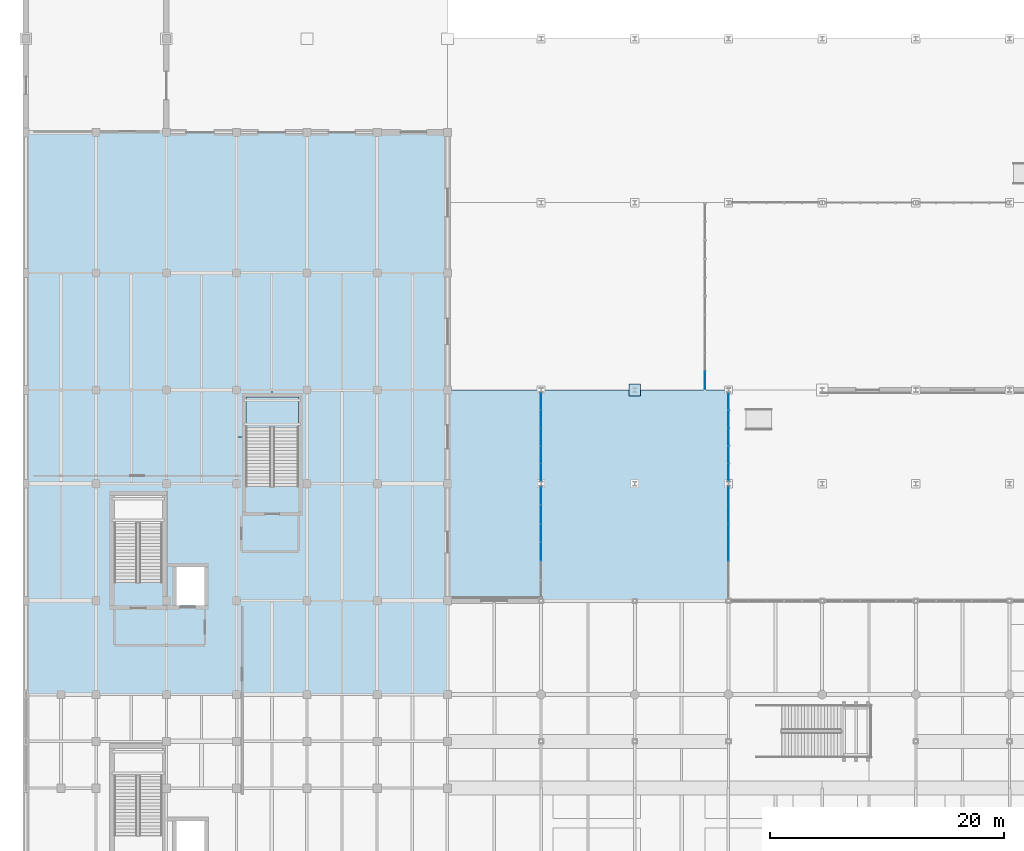
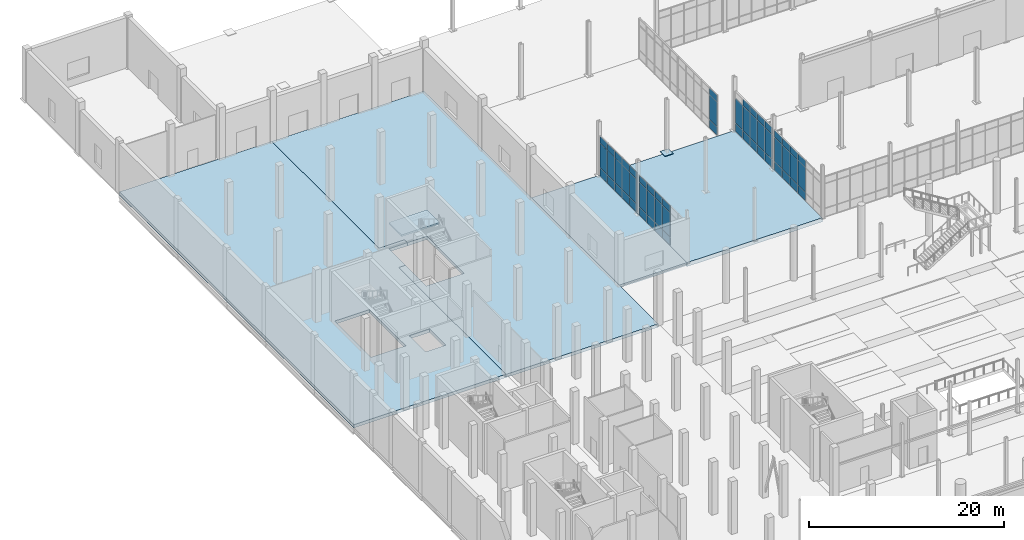
# One storey, part 103 of 140: 57 plates, 5 slabs, 6 elements without a shape of their own.
"""IFC4 building model written with IfcOpenShell, lengths in metres."""

from ifc_helpers import new_model, si_unit, direction, frame, origin, origin_2d, place, context, subcontext, project, spatial, polyline, rectangle, outline, extrude, material, layer, layer_set, type_object, element, aggregate, save


model = new_model("IFC4")

# Units and contexts
model_context = context("Model", 3, precision=1e-05, world=origin(), true_north=direction((0.0, 1.0)))
body_context = subcontext(model_context, "Body", "Model", "MODEL_VIEW")
ifc_project = project(units=[si_unit("LENGTHUNIT", "METRE"), si_unit("AREAUNIT", "SQUARE_METRE"), si_unit("VOLUMEUNIT", "CUBIC_METRE"), si_unit("PLANEANGLEUNIT", "RADIAN"), si_unit("MASSUNIT", "GRAM", prefix="KILO")], contexts=[model_context])

# Site, building, storey
site_placement = place(None, origin())
site = spatial("IfcSite", under=ifc_project, at=site_placement, CompositionType="ELEMENT")
building_placement = place(site_placement, origin())
building = spatial("IfcBuilding", under=site, at=building_placement, Name="Verrall Gate Interchange", CompositionType="ELEMENT")
storey_placement = place(building_placement, origin())
storey = spatial("IfcBuildingStorey", under=building, at=storey_placement, Name="L01", CompositionType="ELEMENT", Elevation=0.0)

# Plate
ifc_material_1 = material(Name="Structural Steel CSA G40.21 350WT Cat 4", Category="steel")
ifc_layer_1 = layer(ifc_material_1, 0.06005859375)
ifc_layer_set_1 = layer_set([ifc_layer_1], Name="Structural Steel CSA G40.21 350WT Cat 4")
plate_type_1 = type_object("IfcPlateType", Name="BP-03 Base Plate 60", PredefinedType="USERDEFINED", material=ifc_layer_set_1)
plate_1_placement = place(storey_placement, frame((52.0, 74.0, 0.0), z_axis=(0.0, 0.0, 1.0), x_axis=(1.0, 0.0, 0.0)))
element("IfcPlate", 1, at=plate_1_placement, inside=storey, type_object=plate_type_1, Name="Apron Pier Cap Plate 1634", ObjectType="BASE_PLATE", PredefinedType="USERDEFINED", context=body_context, shape_type="SweptSolid", body=[
    extrude(rectangle(XDim=1.0, YDim=1.0, at=origin_2d()), origin(), (0.0, 0.0, 1.0), 0.06005859375),
])

# Curtain wall, plates
ifc_material_2 = material(Name="Thermally Broken Anodized Aluminium Curtain Wall Framing", Category="aluminium")
curtain_wall_type_1 = type_object("IfcCurtainWallType", Name="CW-07 Unitized Curtain Wall 9606x5100", PredefinedType="NOTDEFINED", material=ifc_material_2)
curtain_wall_1_placement = place(storey_placement, origin())
curtain_wall_1 = element("IfcCurtainWall", 2, at=curtain_wall_1_placement, inside=storey, type_object=curtain_wall_type_1, Name="L01 Unitized Curtain Wall CW-L01-021", PredefinedType="NOTDEFINED")
ifc_material_3 = material(Name="Triple-Glazed Low-E Argon Insulated Curtain Panel (U=1.45)", Category="glass")
ifc_layer_2 = layer(ifc_material_3, 0.030029296875)
ifc_layer_set_2 = layer_set([ifc_layer_2], Name="Triple-Glazed Low-E Argon Insulated Curtain Panel (U=1.45)")
plate_type_2 = type_object("IfcPlateType", Name="CP-01 Curtain Glazing Panel 30", PredefinedType="CURTAIN_PANEL", material=ifc_layer_set_2)
plate_2_placement = place(storey_placement, frame((44.0, 60.186767578125, 0.06298828125), z_axis=(0.0, 0.0, 1.0), x_axis=(0.0, 1.0, 0.0)))
plate_2 = element("IfcPlate", 3, at=plate_2_placement, type_object=plate_type_2, Name="CW-L01-021 Glazing Panel 3.1", PredefinedType="CURTAIN_PANEL", context=body_context, shape_type="SweptSolid", body=[
    extrude(rectangle(XDim=1.5498046875, YDim=0.030029296875, at=origin_2d()), origin(), (0.0, 0.0, 1.0), 1.011474609375),
])
plate_3_placement = place(storey_placement, frame((44.0, 60.186767578125, 1.12548828125), z_axis=(0.0, 0.0, 1.0), x_axis=(0.0, 1.0, 0.0)))
plate_3 = element("IfcPlate", 4, at=plate_3_placement, type_object=plate_type_2, Name="CW-L01-021 Glazing Panel 3.2", PredefinedType="CURTAIN_PANEL", context=body_context, shape_type="SweptSolid", body=[
    extrude(rectangle(XDim=1.5498046875, YDim=0.030029296875, at=origin_2d()), origin(), (0.0, 0.0, 1.0), 3.049072265625),
])
plate_4_placement = place(storey_placement, frame((44.0, 60.186767578125, 4.225341796875), z_axis=(0.0, 0.0, 1.0), x_axis=(0.0, 1.0, 0.0)))
plate_4 = element("IfcPlate", 5, at=plate_4_placement, type_object=plate_type_2, Name="CW-L01-021 Glazing Panel 3.3", PredefinedType="CURTAIN_PANEL", context=body_context, shape_type="SweptSolid", body=[
    extrude(rectangle(XDim=1.5498046875, YDim=0.030029296875, at=origin_2d()), origin(), (0.0, 0.0, 1.0), 0.8115234375),
])
plate_5_placement = place(storey_placement, frame((44.0, 61.78759765625, 0.06298828125), z_axis=(0.0, 0.0, 1.0), x_axis=(0.0, 1.0, 0.0)))
plate_5 = element("IfcPlate", 6, at=plate_5_placement, type_object=plate_type_2, Name="CW-L01-021 Glazing Panel 4.1", PredefinedType="CURTAIN_PANEL", context=body_context, shape_type="SweptSolid", body=[
    extrude(rectangle(XDim=1.550048828125, YDim=0.030029296875, at=origin_2d()), origin(), (0.0, 0.0, 1.0), 1.011474609375),
])
plate_6_placement = place(storey_placement, frame((44.0, 61.78759765625, 1.12548828125), z_axis=(0.0, 0.0, 1.0), x_axis=(0.0, 1.0, 0.0)))
plate_6 = element("IfcPlate", 7, at=plate_6_placement, type_object=plate_type_2, Name="CW-L01-021 Glazing Panel 4.2", PredefinedType="CURTAIN_PANEL", context=body_context, shape_type="SweptSolid", body=[
    extrude(rectangle(XDim=1.550048828125, YDim=0.030029296875, at=origin_2d()), origin(), (0.0, 0.0, 1.0), 3.049072265625),
])
plate_7_placement = place(storey_placement, frame((44.0, 61.78759765625, 4.225341796875), z_axis=(0.0, 0.0, 1.0), x_axis=(0.0, 1.0, 0.0)))
plate_7 = element("IfcPlate", 8, at=plate_7_placement, type_object=plate_type_2, Name="CW-L01-021 Glazing Panel 4.3", PredefinedType="CURTAIN_PANEL", context=body_context, shape_type="SweptSolid", body=[
    extrude(rectangle(XDim=1.550048828125, YDim=0.030029296875, at=origin_2d()), origin(), (0.0, 0.0, 1.0), 0.8115234375),
])
plate_8_placement = place(storey_placement, frame((44.0, 63.388671875, 0.06298828125), z_axis=(0.0, 0.0, 1.0), x_axis=(0.0, 1.0, 0.0)))
plate_8 = element("IfcPlate", 9, at=plate_8_placement, type_object=plate_type_2, Name="CW-L01-021 Glazing Panel 5.1", PredefinedType="CURTAIN_PANEL", context=body_context, shape_type="SweptSolid", body=[
    extrude(rectangle(XDim=1.5498046875, YDim=0.030029296875, at=origin_2d()), origin(), (0.0, 0.0, 1.0), 1.011474609375),
])
plate_9_placement = place(storey_placement, frame((44.0, 63.388671875, 1.12548828125), z_axis=(0.0, 0.0, 1.0), x_axis=(0.0, 1.0, 0.0)))
plate_9 = element("IfcPlate", 10, at=plate_9_placement, type_object=plate_type_2, Name="CW-L01-021 Glazing Panel 5.2", PredefinedType="CURTAIN_PANEL", context=body_context, shape_type="SweptSolid", body=[
    extrude(rectangle(XDim=1.5498046875, YDim=0.030029296875, at=origin_2d()), origin(), (0.0, 0.0, 1.0), 3.049072265625),
])
plate_10_placement = place(storey_placement, frame((44.0, 63.388671875, 4.225341796875), z_axis=(0.0, 0.0, 1.0), x_axis=(0.0, 1.0, 0.0)))
plate_10 = element("IfcPlate", 11, at=plate_10_placement, type_object=plate_type_2, Name="CW-L01-021 Glazing Panel 5.3", PredefinedType="CURTAIN_PANEL", context=body_context, shape_type="SweptSolid", body=[
    extrude(rectangle(XDim=1.5498046875, YDim=0.030029296875, at=origin_2d()), origin(), (0.0, 0.0, 1.0), 0.8115234375),
])
plate_11_placement = place(storey_placement, frame((44.0, 64.970703125, 0.06298828125), z_axis=(0.0, 0.0, 1.0), x_axis=(0.0, 1.0, 0.0)))
plate_11 = element("IfcPlate", 12, at=plate_11_placement, type_object=plate_type_2, Name="CW-L01-021 Glazing Panel 6.1", PredefinedType="CURTAIN_PANEL", context=body_context, shape_type="SweptSolid", body=[
    extrude(rectangle(XDim=1.512451171875, YDim=0.030029296875, at=origin_2d()), origin(), (0.0, 0.0, 1.0), 1.011474609375),
])
plate_12_placement = place(storey_placement, frame((44.0, 64.970703125, 1.12548828125), z_axis=(0.0, 0.0, 1.0), x_axis=(0.0, 1.0, 0.0)))
plate_12 = element("IfcPlate", 13, at=plate_12_placement, type_object=plate_type_2, Name="CW-L01-021 Glazing Panel 6.2", PredefinedType="CURTAIN_PANEL", context=body_context, shape_type="SweptSolid", body=[
    extrude(rectangle(XDim=1.512451171875, YDim=0.030029296875, at=origin_2d()), origin(), (0.0, 0.0, 1.0), 3.049072265625),
])
plate_13_placement = place(storey_placement, frame((44.0, 64.970703125, 4.225341796875), z_axis=(0.0, 0.0, 1.0), x_axis=(0.0, 1.0, 0.0)))
plate_13 = element("IfcPlate", 14, at=plate_13_placement, type_object=plate_type_2, Name="CW-L01-021 Glazing Panel 6.3", PredefinedType="CURTAIN_PANEL", context=body_context, shape_type="SweptSolid", body=[
    extrude(rectangle(XDim=1.512451171875, YDim=0.030029296875, at=origin_2d()), origin(), (0.0, 0.0, 1.0), 0.8115234375),
])
aggregate(curtain_wall_1, [plate_2, plate_3, plate_4, plate_5, plate_6, plate_7, plate_8, plate_9, plate_10, plate_11, plate_12, plate_13])

curtain_wall_2_placement = place(storey_placement, origin())
curtain_wall_2 = element("IfcCurtainWall", 15, at=curtain_wall_2_placement, inside=storey, type_object=curtain_wall_type_1, Name="L01 Unitized Curtain Wall CW-L01-024", PredefinedType="NOTDEFINED")
plate_14_placement = place(storey_placement, frame((60.0, 64.973388671875, 0.0546875), z_axis=(0.0, 0.0, 1.0), x_axis=(0.0, -1.0, 0.0)))
plate_14 = element("IfcPlate", 16, at=plate_14_placement, type_object=plate_type_2, Name="CW-L01-024 Glazing Panel 1.1", PredefinedType="CURTAIN_PANEL", context=body_context, shape_type="SweptSolid", body=[
    extrude(rectangle(XDim=1.524169921875, YDim=0.030029296875, at=origin_2d()), origin(), (0.0, 0.0, 1.0), 1.023193359375),
])
plate_15_placement = place(storey_placement, frame((60.0, 64.973388671875, 1.1220703125), z_axis=(0.0, 0.0, 1.0), x_axis=(0.0, -1.0, 0.0)))
plate_15 = element("IfcPlate", 17, at=plate_15_placement, type_object=plate_type_2, Name="CW-L01-024 Glazing Panel 1.2", PredefinedType="CURTAIN_PANEL", context=body_context, shape_type="SweptSolid", body=[
    extrude(rectangle(XDim=1.524169921875, YDim=0.030029296875, at=origin_2d()), origin(), (0.0, 0.0, 1.0), 3.055908203125),
])
plate_16_placement = place(storey_placement, frame((60.0, 64.973388671875, 4.22216796875), z_axis=(0.0, 0.0, 1.0), x_axis=(0.0, -1.0, 0.0)))
plate_16 = element("IfcPlate", 18, at=plate_16_placement, type_object=plate_type_2, Name="CW-L01-024 Glazing Panel 1.3", PredefinedType="CURTAIN_PANEL", context=body_context, shape_type="SweptSolid", body=[
    extrude(rectangle(XDim=1.524169921875, YDim=0.030029296875, at=origin_2d()), origin(), (0.0, 0.0, 1.0), 0.8232421875),
])
plate_17_placement = place(storey_placement, frame((60.0, 63.388671875, 0.0546875), z_axis=(0.0, 0.0, 1.0), x_axis=(0.0, -1.0, 0.0)))
plate_17 = element("IfcPlate", 19, at=plate_17_placement, type_object=plate_type_2, Name="CW-L01-024 Glazing Panel 2.1", PredefinedType="CURTAIN_PANEL", context=body_context, shape_type="SweptSolid", body=[
    extrude(rectangle(XDim=1.556640625, YDim=0.030029296875, at=origin_2d()), origin(), (0.0, 0.0, 1.0), 1.023193359375),
])
plate_18_placement = place(storey_placement, frame((60.0, 63.388671875, 1.1220703125), z_axis=(0.0, 0.0, 1.0), x_axis=(0.0, -1.0, 0.0)))
plate_18 = element("IfcPlate", 20, at=plate_18_placement, type_object=plate_type_2, Name="CW-L01-024 Glazing Panel 2.2", PredefinedType="CURTAIN_PANEL", context=body_context, shape_type="SweptSolid", body=[
    extrude(rectangle(XDim=1.556640625, YDim=0.030029296875, at=origin_2d()), origin(), (0.0, 0.0, 1.0), 3.055908203125),
])
plate_19_placement = place(storey_placement, frame((60.0, 63.388671875, 4.22216796875), z_axis=(0.0, 0.0, 1.0), x_axis=(0.0, -1.0, 0.0)))
plate_19 = element("IfcPlate", 21, at=plate_19_placement, type_object=plate_type_2, Name="CW-L01-024 Glazing Panel 2.3", PredefinedType="CURTAIN_PANEL", context=body_context, shape_type="SweptSolid", body=[
    extrude(rectangle(XDim=1.556640625, YDim=0.030029296875, at=origin_2d()), origin(), (0.0, 0.0, 1.0), 0.8232421875),
])
plate_20_placement = place(storey_placement, frame((60.0, 61.787841796875, 0.0546875), z_axis=(0.0, 0.0, 1.0), x_axis=(0.0, -1.0, 0.0)))
plate_20 = element("IfcPlate", 22, at=plate_20_placement, type_object=plate_type_2, Name="CW-L01-024 Glazing Panel 3.1", PredefinedType="CURTAIN_PANEL", context=body_context, shape_type="SweptSolid", body=[
    extrude(rectangle(XDim=1.556640625, YDim=0.030029296875, at=origin_2d()), origin(), (0.0, 0.0, 1.0), 1.023193359375),
])
plate_21_placement = place(storey_placement, frame((60.0, 61.787841796875, 1.1220703125), z_axis=(0.0, 0.0, 1.0), x_axis=(0.0, -1.0, 0.0)))
plate_21 = element("IfcPlate", 23, at=plate_21_placement, type_object=plate_type_2, Name="CW-L01-024 Glazing Panel 3.2", PredefinedType="CURTAIN_PANEL", context=body_context, shape_type="SweptSolid", body=[
    extrude(rectangle(XDim=1.556640625, YDim=0.030029296875, at=origin_2d()), origin(), (0.0, 0.0, 1.0), 3.055908203125),
])
plate_22_placement = place(storey_placement, frame((60.0, 61.787841796875, 4.22216796875), z_axis=(0.0, 0.0, 1.0), x_axis=(0.0, -1.0, 0.0)))
plate_22 = element("IfcPlate", 24, at=plate_22_placement, type_object=plate_type_2, Name="CW-L01-024 Glazing Panel 3.3", PredefinedType="CURTAIN_PANEL", context=body_context, shape_type="SweptSolid", body=[
    extrude(rectangle(XDim=1.556640625, YDim=0.030029296875, at=origin_2d()), origin(), (0.0, 0.0, 1.0), 0.8232421875),
])
plate_23_placement = place(storey_placement, frame((60.0, 60.186767578125, 0.0546875), z_axis=(0.0, 0.0, 1.0), x_axis=(0.0, -1.0, 0.0)))
plate_23 = element("IfcPlate", 25, at=plate_23_placement, type_object=plate_type_2, Name="CW-L01-024 Glazing Panel 4.1", PredefinedType="CURTAIN_PANEL", context=body_context, shape_type="SweptSolid", body=[
    extrude(rectangle(XDim=1.556884765625, YDim=0.030029296875, at=origin_2d()), origin(), (0.0, 0.0, 1.0), 1.023193359375),
])
plate_24_placement = place(storey_placement, frame((60.0, 60.186767578125, 1.1220703125), z_axis=(0.0, 0.0, 1.0), x_axis=(0.0, -1.0, 0.0)))
plate_24 = element("IfcPlate", 26, at=plate_24_placement, type_object=plate_type_2, Name="CW-L01-024 Glazing Panel 4.2", PredefinedType="CURTAIN_PANEL", context=body_context, shape_type="SweptSolid", body=[
    extrude(rectangle(XDim=1.556884765625, YDim=0.030029296875, at=origin_2d()), origin(), (0.0, 0.0, 1.0), 3.055908203125),
])
plate_25_placement = place(storey_placement, frame((60.0, 60.186767578125, 4.22216796875), z_axis=(0.0, 0.0, 1.0), x_axis=(0.0, -1.0, 0.0)))
plate_25 = element("IfcPlate", 27, at=plate_25_placement, type_object=plate_type_2, Name="CW-L01-024 Glazing Panel 4.3", PredefinedType="CURTAIN_PANEL", context=body_context, shape_type="SweptSolid", body=[
    extrude(rectangle(XDim=1.556884765625, YDim=0.030029296875, at=origin_2d()), origin(), (0.0, 0.0, 1.0), 0.8232421875),
])
aggregate(curtain_wall_2, [plate_14, plate_15, plate_16, plate_17, plate_18, plate_19, plate_20, plate_21, plate_22, plate_23, plate_24, plate_25])

ifc_material_4 = material(Name="Thermally Broken Anodized Aluminium Curtain Wall Framing", Category="aluminium")
curtain_wall_type_2 = type_object("IfcCurtainWallType", Name="CW-09 Unitized Curtain Wall 7960x5100", PredefinedType="NOTDEFINED", material=ifc_material_4)
curtain_wall_3_placement = place(storey_placement, origin())
curtain_wall_3 = element("IfcCurtainWall", 28, at=curtain_wall_3_placement, inside=storey, type_object=curtain_wall_type_2, Name="L01 Unitized Curtain Wall CW-L01-036", PredefinedType="NOTDEFINED")
plate_26_placement = place(storey_placement, frame((58.0, 74.832275390625, 0.0546875), z_axis=(0.0, 0.0, 1.0), x_axis=(0.0, -1.0, 0.0)))
plate_26 = element("IfcPlate", 29, at=plate_26_placement, type_object=plate_type_2, Name="CW-L01-036 Glazing Panel 5.1", PredefinedType="CURTAIN_PANEL", context=body_context, shape_type="SweptSolid", body=[
    extrude(rectangle(XDim=1.515380859375, YDim=0.030029296875, at=origin_2d()), origin(), (0.0, 0.0, 1.0), 1.023193359375),
])
plate_27_placement = place(storey_placement, frame((58.0, 74.832275390625, 1.1220703125), z_axis=(0.0, 0.0, 1.0), x_axis=(0.0, -1.0, 0.0)))
plate_27 = element("IfcPlate", 30, at=plate_27_placement, type_object=plate_type_2, Name="CW-L01-036 Glazing Panel 5.2", PredefinedType="CURTAIN_PANEL", context=body_context, shape_type="SweptSolid", body=[
    extrude(rectangle(XDim=1.515380859375, YDim=0.030029296875, at=origin_2d()), origin(), (0.0, 0.0, 1.0), 3.055908203125),
])
plate_28_placement = place(storey_placement, frame((58.0, 74.832275390625, 4.22216796875), z_axis=(0.0, 0.0, 1.0), x_axis=(0.0, -1.0, 0.0)))
plate_28 = element("IfcPlate", 31, at=plate_28_placement, type_object=plate_type_2, Name="CW-L01-036 Glazing Panel 5.3", PredefinedType="CURTAIN_PANEL", context=body_context, shape_type="SweptSolid", body=[
    extrude(rectangle(XDim=1.515380859375, YDim=0.030029296875, at=origin_2d()), origin(), (0.0, 0.0, 1.0), 0.8232421875),
])
aggregate(curtain_wall_3, [plate_26, plate_27, plate_28])

ifc_material_5 = material(Name="Thermally Broken Anodized Aluminium Curtain Wall Framing", Category="aluminium")
curtain_wall_type_3 = type_object("IfcCurtainWallType", Name="CW-06 Unitized Curtain Wall 7631x5100", PredefinedType="NOTDEFINED", material=ifc_material_5)
curtain_wall_4_placement = place(storey_placement, origin())
curtain_wall_4 = element("IfcCurtainWall", 32, at=curtain_wall_4_placement, inside=storey, type_object=curtain_wall_type_3, Name="L01 Unitized Curtain Wall CW-L01-022", PredefinedType="NOTDEFINED")
ifc_material_6 = material(Name="Triple-Glazed Low-E Argon Insulated Curtain Panel (U=1.45)", Category="glass")
ifc_layer_3 = layer(ifc_material_6, 0.0400390625)
ifc_layer_set_3 = layer_set([ifc_layer_3], Name="Triple-Glazed Low-E Argon Insulated Curtain Panel (U=1.45)")
plate_type_3 = type_object("IfcPlateType", Name="CP-02 Curtain Glazing Panel 40", PredefinedType="CURTAIN_PANEL", material=ifc_layer_set_3)
plate_29_placement = place(storey_placement, frame((44.0, 66.984130859375, 0.0546875), z_axis=(0.0, 0.0, 1.0), x_axis=(0.0, 1.0, 0.0)))
plate_29 = element("IfcPlate", 33, at=plate_29_placement, type_object=plate_type_3, Name="CW-L01-022 Glazing Panel 1.1", PredefinedType="CURTAIN_PANEL", context=body_context, shape_type="SweptSolid", body=[
    extrude(rectangle(XDim=1.439208984375, YDim=0.0400390625, at=origin_2d()), origin(), (0.0, 0.0, 1.0), 1.023193359375),
])
plate_30_placement = place(storey_placement, frame((44.0, 66.984130859375, 1.1220703125), z_axis=(0.0, 0.0, 1.0), x_axis=(0.0, 1.0, 0.0)))
plate_30 = element("IfcPlate", 34, at=plate_30_placement, type_object=plate_type_3, Name="CW-L01-022 Glazing Panel 1.2", PredefinedType="CURTAIN_PANEL", context=body_context, shape_type="SweptSolid", body=[
    extrude(rectangle(XDim=1.439208984375, YDim=0.0400390625, at=origin_2d()), origin(), (0.0, 0.0, 1.0), 3.055908203125),
])
plate_31_placement = place(storey_placement, frame((44.0, 66.984130859375, 4.22216796875), z_axis=(0.0, 0.0, 1.0), x_axis=(0.0, 1.0, 0.0)))
plate_31 = element("IfcPlate", 35, at=plate_31_placement, type_object=plate_type_3, Name="CW-L01-022 Glazing Panel 1.3", PredefinedType="CURTAIN_PANEL", context=body_context, shape_type="SweptSolid", body=[
    extrude(rectangle(XDim=1.439208984375, YDim=0.0400390625, at=origin_2d()), origin(), (0.0, 0.0, 1.0), 0.8232421875),
])
plate_32_placement = place(storey_placement, frame((44.0, 68.48388671875, 0.0546875), z_axis=(0.0, 0.0, 1.0), x_axis=(0.0, 1.0, 0.0)))
plate_32 = element("IfcPlate", 36, at=plate_32_placement, type_object=plate_type_3, Name="CW-L01-022 Glazing Panel 2.1", PredefinedType="CURTAIN_PANEL", context=body_context, shape_type="SweptSolid", body=[
    extrude(rectangle(XDim=1.4716796875, YDim=0.0400390625, at=origin_2d()), origin(), (0.0, 0.0, 1.0), 1.023193359375),
])
plate_33_placement = place(storey_placement, frame((44.0, 68.48388671875, 1.1220703125), z_axis=(0.0, 0.0, 1.0), x_axis=(0.0, 1.0, 0.0)))
plate_33 = element("IfcPlate", 37, at=plate_33_placement, type_object=plate_type_3, Name="CW-L01-022 Glazing Panel 2.2", PredefinedType="CURTAIN_PANEL", context=body_context, shape_type="SweptSolid", body=[
    extrude(rectangle(XDim=1.4716796875, YDim=0.0400390625, at=origin_2d()), origin(), (0.0, 0.0, 1.0), 3.055908203125),
])
plate_34_placement = place(storey_placement, frame((44.0, 68.48388671875, 4.22216796875), z_axis=(0.0, 0.0, 1.0), x_axis=(0.0, 1.0, 0.0)))
plate_34 = element("IfcPlate", 38, at=plate_34_placement, type_object=plate_type_3, Name="CW-L01-022 Glazing Panel 2.3", PredefinedType="CURTAIN_PANEL", context=body_context, shape_type="SweptSolid", body=[
    extrude(rectangle(XDim=1.4716796875, YDim=0.0400390625, at=origin_2d()), origin(), (0.0, 0.0, 1.0), 0.8232421875),
])
plate_35_placement = place(storey_placement, frame((44.0, 70.0, 0.0546875), z_axis=(0.0, 0.0, 1.0), x_axis=(0.0, 1.0, 0.0)))
plate_35 = element("IfcPlate", 39, at=plate_35_placement, type_object=plate_type_3, Name="CW-L01-022 Glazing Panel 3.1", PredefinedType="CURTAIN_PANEL", context=body_context, shape_type="SweptSolid", body=[
    extrude(rectangle(XDim=1.4716796875, YDim=0.0400390625, at=origin_2d()), origin(), (0.0, 0.0, 1.0), 1.023193359375),
])
plate_36_placement = place(storey_placement, frame((44.0, 70.0, 1.1220703125), z_axis=(0.0, 0.0, 1.0), x_axis=(0.0, 1.0, 0.0)))
plate_36 = element("IfcPlate", 40, at=plate_36_placement, type_object=plate_type_3, Name="CW-L01-022 Glazing Panel 3.2", PredefinedType="CURTAIN_PANEL", context=body_context, shape_type="SweptSolid", body=[
    extrude(rectangle(XDim=1.4716796875, YDim=0.0400390625, at=origin_2d()), origin(), (0.0, 0.0, 1.0), 3.055908203125),
])
plate_37_placement = place(storey_placement, frame((44.0, 70.0, 4.22216796875), z_axis=(0.0, 0.0, 1.0), x_axis=(0.0, 1.0, 0.0)))
plate_37 = element("IfcPlate", 41, at=plate_37_placement, type_object=plate_type_3, Name="CW-L01-022 Glazing Panel 3.3", PredefinedType="CURTAIN_PANEL", context=body_context, shape_type="SweptSolid", body=[
    extrude(rectangle(XDim=1.4716796875, YDim=0.0400390625, at=origin_2d()), origin(), (0.0, 0.0, 1.0), 0.8232421875),
])
plate_38_placement = place(storey_placement, frame((44.0, 71.51611328125, 0.0546875), z_axis=(0.0, 0.0, 1.0), x_axis=(0.0, 1.0, 0.0)))
plate_38 = element("IfcPlate", 42, at=plate_38_placement, type_object=plate_type_3, Name="CW-L01-022 Glazing Panel 4.1", PredefinedType="CURTAIN_PANEL", context=body_context, shape_type="SweptSolid", body=[
    extrude(rectangle(XDim=1.4716796875, YDim=0.0400390625, at=origin_2d()), origin(), (0.0, 0.0, 1.0), 1.023193359375),
])
plate_39_placement = place(storey_placement, frame((44.0, 71.51611328125, 1.1220703125), z_axis=(0.0, 0.0, 1.0), x_axis=(0.0, 1.0, 0.0)))
plate_39 = element("IfcPlate", 43, at=plate_39_placement, type_object=plate_type_3, Name="CW-L01-022 Glazing Panel 4.2", PredefinedType="CURTAIN_PANEL", context=body_context, shape_type="SweptSolid", body=[
    extrude(rectangle(XDim=1.4716796875, YDim=0.0400390625, at=origin_2d()), origin(), (0.0, 0.0, 1.0), 3.055908203125),
])
plate_40_placement = place(storey_placement, frame((44.0, 71.51611328125, 4.22216796875), z_axis=(0.0, 0.0, 1.0), x_axis=(0.0, 1.0, 0.0)))
plate_40 = element("IfcPlate", 44, at=plate_40_placement, type_object=plate_type_3, Name="CW-L01-022 Glazing Panel 4.3", PredefinedType="CURTAIN_PANEL", context=body_context, shape_type="SweptSolid", body=[
    extrude(rectangle(XDim=1.4716796875, YDim=0.0400390625, at=origin_2d()), origin(), (0.0, 0.0, 1.0), 0.8232421875),
])
plate_41_placement = place(storey_placement, frame((44.0, 73.015625, 0.0546875), z_axis=(0.0, 0.0, 1.0), x_axis=(0.0, 1.0, 0.0)))
plate_41 = element("IfcPlate", 45, at=plate_41_placement, type_object=plate_type_3, Name="CW-L01-022 Glazing Panel 5.1", PredefinedType="CURTAIN_PANEL", context=body_context, shape_type="SweptSolid", body=[
    extrude(rectangle(XDim=1.439208984375, YDim=0.0400390625, at=origin_2d()), origin(), (0.0, 0.0, 1.0), 1.023193359375),
])
plate_42_placement = place(storey_placement, frame((44.0, 73.015625, 1.1220703125), z_axis=(0.0, 0.0, 1.0), x_axis=(0.0, 1.0, 0.0)))
plate_42 = element("IfcPlate", 46, at=plate_42_placement, type_object=plate_type_3, Name="CW-L01-022 Glazing Panel 5.2", PredefinedType="CURTAIN_PANEL", context=body_context, shape_type="SweptSolid", body=[
    extrude(rectangle(XDim=1.439208984375, YDim=0.0400390625, at=origin_2d()), origin(), (0.0, 0.0, 1.0), 3.055908203125),
])
plate_43_placement = place(storey_placement, frame((44.0, 73.015625, 4.22216796875), z_axis=(0.0, 0.0, 1.0), x_axis=(0.0, 1.0, 0.0)))
plate_43 = element("IfcPlate", 47, at=plate_43_placement, type_object=plate_type_3, Name="CW-L01-022 Glazing Panel 5.3", PredefinedType="CURTAIN_PANEL", context=body_context, shape_type="SweptSolid", body=[
    extrude(rectangle(XDim=1.439208984375, YDim=0.0400390625, at=origin_2d()), origin(), (0.0, 0.0, 1.0), 0.8232421875),
])
aggregate(curtain_wall_4, [plate_29, plate_30, plate_31, plate_32, plate_33, plate_34, plate_35, plate_36, plate_37, plate_38, plate_39, plate_40, plate_41, plate_42, plate_43])

curtain_wall_5_placement = place(storey_placement, origin())
curtain_wall_5 = element("IfcCurtainWall", 48, at=curtain_wall_5_placement, inside=storey, type_object=curtain_wall_type_3, Name="L01 Unitized Curtain Wall CW-L01-023", PredefinedType="NOTDEFINED")
plate_44_placement = place(storey_placement, frame((60.0, 73.01318359375, 0.06298828125), z_axis=(0.0, 0.0, 1.0), x_axis=(0.0, -1.0, 0.0)))
plate_44 = element("IfcPlate", 49, at=plate_44_placement, type_object=plate_type_3, Name="CW-L01-023 Glazing Panel 1.1", PredefinedType="CURTAIN_PANEL", context=body_context, shape_type="SweptSolid", body=[
    extrude(rectangle(XDim=1.427490234375, YDim=0.0400390625, at=origin_2d()), origin(), (0.0, 0.0, 1.0), 1.011474609375),
])
plate_45_placement = place(storey_placement, frame((60.0, 73.01318359375, 1.12548828125), z_axis=(0.0, 0.0, 1.0), x_axis=(0.0, -1.0, 0.0)))
plate_45 = element("IfcPlate", 50, at=plate_45_placement, type_object=plate_type_3, Name="CW-L01-023 Glazing Panel 1.2", PredefinedType="CURTAIN_PANEL", context=body_context, shape_type="SweptSolid", body=[
    extrude(rectangle(XDim=1.427490234375, YDim=0.0400390625, at=origin_2d()), origin(), (0.0, 0.0, 1.0), 3.049072265625),
])
plate_46_placement = place(storey_placement, frame((60.0, 71.51611328125, 0.06298828125), z_axis=(0.0, 0.0, 1.0), x_axis=(0.0, -1.0, 0.0)))
plate_46 = element("IfcPlate", 51, at=plate_46_placement, type_object=plate_type_3, Name="CW-L01-023 Glazing Panel 2.1", PredefinedType="CURTAIN_PANEL", context=body_context, shape_type="SweptSolid", body=[
    extrude(rectangle(XDim=1.465087890625, YDim=0.0400390625, at=origin_2d()), origin(), (0.0, 0.0, 1.0), 1.011474609375),
])
plate_47_placement = place(storey_placement, frame((60.0, 71.51611328125, 1.12548828125), z_axis=(0.0, 0.0, 1.0), x_axis=(0.0, -1.0, 0.0)))
plate_47 = element("IfcPlate", 52, at=plate_47_placement, type_object=plate_type_3, Name="CW-L01-023 Glazing Panel 2.2", PredefinedType="CURTAIN_PANEL", context=body_context, shape_type="SweptSolid", body=[
    extrude(rectangle(XDim=1.465087890625, YDim=0.0400390625, at=origin_2d()), origin(), (0.0, 0.0, 1.0), 3.049072265625),
])
plate_48_placement = place(storey_placement, frame((60.0, 71.51611328125, 4.225341796875), z_axis=(0.0, 0.0, 1.0), x_axis=(0.0, -1.0, 0.0)))
plate_48 = element("IfcPlate", 53, at=plate_48_placement, type_object=plate_type_3, Name="CW-L01-023 Glazing Panel 2.3", PredefinedType="CURTAIN_PANEL", context=body_context, shape_type="SweptSolid", body=[
    extrude(rectangle(XDim=1.465087890625, YDim=0.0400390625, at=origin_2d()), origin(), (0.0, 0.0, 1.0), 0.8115234375),
])
plate_49_placement = place(storey_placement, frame((60.0, 70.0, 0.06298828125), z_axis=(0.0, 0.0, 1.0), x_axis=(0.0, -1.0, 0.0)))
plate_49 = element("IfcPlate", 54, at=plate_49_placement, type_object=plate_type_3, Name="CW-L01-023 Glazing Panel 3.1", PredefinedType="CURTAIN_PANEL", context=body_context, shape_type="SweptSolid", body=[
    extrude(rectangle(XDim=1.465087890625, YDim=0.0400390625, at=origin_2d()), origin(), (0.0, 0.0, 1.0), 1.011474609375),
])
plate_50_placement = place(storey_placement, frame((60.0, 70.0, 1.12548828125), z_axis=(0.0, 0.0, 1.0), x_axis=(0.0, -1.0, 0.0)))
plate_50 = element("IfcPlate", 55, at=plate_50_placement, type_object=plate_type_3, Name="CW-L01-023 Glazing Panel 3.2", PredefinedType="CURTAIN_PANEL", context=body_context, shape_type="SweptSolid", body=[
    extrude(rectangle(XDim=1.465087890625, YDim=0.0400390625, at=origin_2d()), origin(), (0.0, 0.0, 1.0), 3.049072265625),
])
plate_51_placement = place(storey_placement, frame((60.0, 70.0, 4.225341796875), z_axis=(0.0, 0.0, 1.0), x_axis=(0.0, -1.0, 0.0)))
plate_51 = element("IfcPlate", 56, at=plate_51_placement, type_object=plate_type_3, Name="CW-L01-023 Glazing Panel 3.3", PredefinedType="CURTAIN_PANEL", context=body_context, shape_type="SweptSolid", body=[
    extrude(rectangle(XDim=1.465087890625, YDim=0.0400390625, at=origin_2d()), origin(), (0.0, 0.0, 1.0), 0.8115234375),
])
plate_52_placement = place(storey_placement, frame((60.0, 68.48388671875, 0.06298828125), z_axis=(0.0, 0.0, 1.0), x_axis=(0.0, -1.0, 0.0)))
plate_52 = element("IfcPlate", 57, at=plate_52_placement, type_object=plate_type_3, Name="CW-L01-023 Glazing Panel 4.1", PredefinedType="CURTAIN_PANEL", context=body_context, shape_type="SweptSolid", body=[
    extrude(rectangle(XDim=1.465087890625, YDim=0.0400390625, at=origin_2d()), origin(), (0.0, 0.0, 1.0), 1.011474609375),
])
plate_53_placement = place(storey_placement, frame((60.0, 68.48388671875, 1.12548828125), z_axis=(0.0, 0.0, 1.0), x_axis=(0.0, -1.0, 0.0)))
plate_53 = element("IfcPlate", 58, at=plate_53_placement, type_object=plate_type_3, Name="CW-L01-023 Glazing Panel 4.2", PredefinedType="CURTAIN_PANEL", context=body_context, shape_type="SweptSolid", body=[
    extrude(rectangle(XDim=1.465087890625, YDim=0.0400390625, at=origin_2d()), origin(), (0.0, 0.0, 1.0), 3.049072265625),
])
plate_54_placement = place(storey_placement, frame((60.0, 68.48388671875, 4.225341796875), z_axis=(0.0, 0.0, 1.0), x_axis=(0.0, -1.0, 0.0)))
plate_54 = element("IfcPlate", 59, at=plate_54_placement, type_object=plate_type_3, Name="CW-L01-023 Glazing Panel 4.3", PredefinedType="CURTAIN_PANEL", context=body_context, shape_type="SweptSolid", body=[
    extrude(rectangle(XDim=1.465087890625, YDim=0.0400390625, at=origin_2d()), origin(), (0.0, 0.0, 1.0), 0.8115234375),
])
plate_55_placement = place(storey_placement, frame((60.0, 66.98681640625, 0.06298828125), z_axis=(0.0, 0.0, 1.0), x_axis=(0.0, -1.0, 0.0)))
plate_55 = element("IfcPlate", 60, at=plate_55_placement, type_object=plate_type_3, Name="CW-L01-023 Glazing Panel 5.1", PredefinedType="CURTAIN_PANEL", context=body_context, shape_type="SweptSolid", body=[
    extrude(rectangle(XDim=1.427490234375, YDim=0.0400390625, at=origin_2d()), origin(), (0.0, 0.0, 1.0), 1.011474609375),
])
plate_56_placement = place(storey_placement, frame((60.0, 66.98681640625, 1.12548828125), z_axis=(0.0, 0.0, 1.0), x_axis=(0.0, -1.0, 0.0)))
plate_56 = element("IfcPlate", 61, at=plate_56_placement, type_object=plate_type_3, Name="CW-L01-023 Glazing Panel 5.2", PredefinedType="CURTAIN_PANEL", context=body_context, shape_type="SweptSolid", body=[
    extrude(rectangle(XDim=1.427490234375, YDim=0.0400390625, at=origin_2d()), origin(), (0.0, 0.0, 1.0), 3.049072265625),
])
plate_57_placement = place(storey_placement, frame((60.0, 66.98681640625, 4.225341796875), z_axis=(0.0, 0.0, 1.0), x_axis=(0.0, -1.0, 0.0)))
plate_57 = element("IfcPlate", 62, at=plate_57_placement, type_object=plate_type_3, Name="CW-L01-023 Glazing Panel 5.3", PredefinedType="CURTAIN_PANEL", context=body_context, shape_type="SweptSolid", body=[
    extrude(rectangle(XDim=1.427490234375, YDim=0.0400390625, at=origin_2d()), origin(), (0.0, 0.0, 1.0), 0.8115234375),
])
aggregate(curtain_wall_5, [plate_44, plate_45, plate_46, plate_47, plate_48, plate_49, plate_50, plate_51, plate_52, plate_53, plate_54, plate_55, plate_56, plate_57])

# Slabs
ifc_material_7 = material(Name="Concrete CSA A23.1 35 MPa (Class S-2)", Category="concrete")
ifc_layer_4 = layer(ifc_material_7, 0.5)
ifc_layer_set_4 = layer_set([ifc_layer_4], Name="Concrete CSA A23.1 35 MPa (Class S-2)")
slab_type_1 = type_object("IfcSlabType", Name="FS-02 Base Slab 500", PredefinedType="BASESLAB", material=ifc_layer_set_4)
slab_1_placement = place(storey_placement, frame((0.0, 0.0, -0.5)))
element("IfcSlab", 63, at=slab_1_placement, inside=storey, type_object=slab_type_1, Name="L01 Structural Slab SLB-L01-12", PredefinedType="BASESLAB", context=body_context, shape_type="SweptSolid", body=[
    extrude(outline(polyline([(44.0, 74.0), (60.0, 74.0), (60.0, 56.0), (44.0, 56.0), (44.0, 74.0)])), origin(), (0.0, 0.0, 1.0), 0.5),
])
ifc_material_8 = material(Name="Concrete CSA A23.1 40 MPa (Class C-1)", Category="concrete")
ifc_layer_5 = layer(ifc_material_8, 0.39990234375)
ifc_layer_set_5 = layer_set([ifc_layer_5], Name="Concrete CSA A23.1 40 MPa (Class C-1)")
slab_type_2 = type_object("IfcSlabType", Name="FS-04 Floor Slab 400", PredefinedType="FLOOR", material=ifc_layer_set_5)
slab_2_placement = place(storey_placement, frame((0.0, 0.0, -0.39990234375)))
element("IfcSlab", 64, at=slab_2_placement, inside=storey, type_object=slab_type_2, Name="L01 Structural Slab SLB-L01-03", PredefinedType="FLOOR", context=body_context, shape_type="SweptSolid", body=[
    extrude(outline(polyline([(0.0, 96.0), (18.0, 96.0), (18.0, 74.0), (21.0, 74.0), (21.0, 73.39990234375), (18.800048828125, 73.39990234375), (18.800048828125, 70.0), (18.0, 70.0), (18.0, 48.0), (0.0, 48.0), (0.0, 96.0)]), holes=[polyline([(15.25, 58.89990234375), (12.85009765625, 58.89990234375), (12.85009765625, 55.60009765625), (15.25, 55.60009765625), (15.25, 58.89990234375)]), polyline([(11.64990234375, 65.0), (7.550048828125, 65.0), (7.550048828125, 57.550048828125), (11.64990234375, 57.550048828125), (11.64990234375, 65.0)])]), origin(), (0.0, 0.0, 1.0), 0.39990234375),
])
slab_3_placement = place(storey_placement, frame((0.0, 0.0, -0.39990234375)))
element("IfcSlab", 65, at=slab_3_placement, inside=storey, type_object=slab_type_2, Name="L01 Structural Slab SLB-L01-04", PredefinedType="FLOOR", context=body_context, shape_type="SweptSolid", body=[
    extrude(outline(polyline([(36.0, 48.0), (18.0, 48.0), (18.0, 70.0), (18.800048828125, 70.0), (18.800048828125, 65.75), (23.300048828125, 65.75), (23.300048828125, 73.39990234375), (21.0, 73.39990234375), (21.0, 74.0), (18.0, 74.0), (18.0, 96.0), (36.0, 96.0), (36.0, 48.0)])), origin(), (0.0, 0.0, 1.0), 0.39990234375),
])
ifc_material_9 = material(Name="Concrete CSA A23.1 40 MPa (Class C-1)", Category="concrete")
ifc_layer_6 = layer(ifc_material_9, 0.35009765625)
ifc_layer_set_6 = layer_set([ifc_layer_6], Name="Concrete CSA A23.1 40 MPa (Class C-1)")
slab_type_3 = type_object("IfcSlabType", Name="FS-05 Floor Slab 350", PredefinedType="FLOOR", material=ifc_layer_set_6)
slab_4_placement = place(storey_placement, frame((0.0, 0.0, -0.35009765625)))
element("IfcSlab", 66, at=slab_4_placement, inside=storey, type_object=slab_type_3, Name="L01 Structural Slab SLB-L01-AP1-P2", PredefinedType="FLOOR", context=body_context, shape_type="SweptSolid", body=[
    extrude(outline(polyline([(44.0, 74.0), (44.0, 56.0), (36.0, 56.0), (36.0, 74.0), (44.0, 74.0)])), origin(), (0.0, 0.0, 1.0), 0.35009765625),
])

# Stair, slab
ifc_material_10 = material(Name="Concrete CSA A23.1 40 MPa (Class N)", Category="concrete")
stair_type = type_object("IfcStairType", Name="ST-T09 Straight-Flight Return Exit Stair W2150 H6600", PredefinedType="STRAIGHT_RUN_STAIR", material=ifc_material_10)
stair_placement = place(storey_placement, origin())
stair = element("IfcStair", 67, at=stair_placement, inside=storey, type_object=stair_type, Name="L01 ST-04", PredefinedType="STRAIGHT_RUN_STAIR")
ifc_material_11 = material(Name="Concrete CSA A23.1 40 MPa (Class N)", Category="concrete")
ifc_layer_7 = layer(ifc_material_11, 0.18994140625)
ifc_layer_set_7 = layer_set([ifc_layer_7], Name="Concrete CSA A23.1 40 MPa (Class N)")
slab_type_4 = type_object("IfcSlabType", Name="LS-01 Stair Landing Slab 190", PredefinedType="LANDING", material=ifc_layer_set_7)
slab_5_placement = place(storey_placement, frame((0.0, 0.0, 3.10009765625)))
slab_5 = element("IfcSlab", 68, at=slab_5_placement, type_object=slab_type_4, Name="ST-04 landing 1", PredefinedType="LANDING", context=body_context, shape_type="SweptSolid", body=[
    extrude(outline(polyline([(23.300048828125, 70.7900390625), (23.300048828125, 73.39990234375), (18.800048828125, 73.39990234375), (18.800048828125, 70.7900390625), (23.300048828125, 70.7900390625)])), origin(), (0.0, 0.0, 1.0), 0.199951171875),
])
aggregate(stair, [slab_5])

save(model, "model.ifc")
